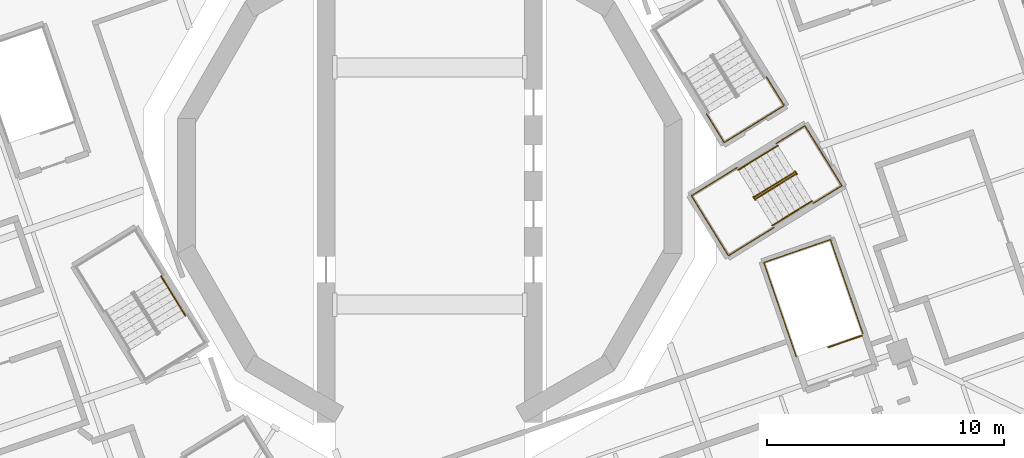
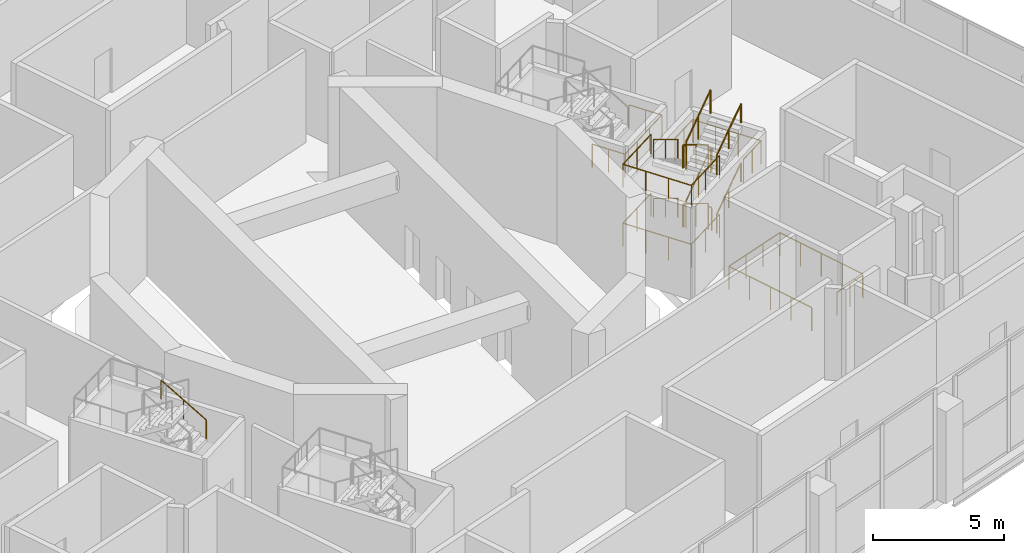
# One storey, part 18 of 20: 16 railings.
"""IFC4 building model written with IfcOpenShell, lengths in metres."""

from ifc_helpers import new_model, si_unit, direction, frame, origin, origin_2d, place, context, subcontext, project, spatial, circle, extrude, material, type_object, element, save


model = new_model("IFC4")

# Units and contexts
model_context = context("Model", 3, precision=1e-05, world=origin(), true_north=direction((0.0, 1.0)))
body_context = subcontext(model_context, "Body", "Model", "MODEL_VIEW")
ifc_project = project(units=[si_unit("LENGTHUNIT", "METRE"), si_unit("AREAUNIT", "SQUARE_METRE"), si_unit("VOLUMEUNIT", "CUBIC_METRE"), si_unit("PLANEANGLEUNIT", "RADIAN"), si_unit("MASSUNIT", "GRAM", prefix="KILO")], contexts=[model_context])

# Site, building, storey
site_placement = place(None, origin())
site = spatial("IfcSite", under=ifc_project, at=site_placement, CompositionType="ELEMENT")
building_placement = place(site_placement, origin())
building = spatial("IfcBuilding", under=site, at=building_placement, Name="Cantera Rosa Tower", CompositionType="ELEMENT")
storey_placement = place(building_placement, frame((0.0, 0.0, 142.10009765625)))
storey = spatial("IfcBuildingStorey", under=building, at=storey_placement, Name="L30", CompositionType="ELEMENT", Elevation=142.10009765625)

# Railings
ifc_material_1 = material(Name="Steel S355J2 (EN 10025-2)", Category="steel")
railing_type_1 = type_object("IfcRailingType", Name="STAIR GUARD 1100", PredefinedType="GUARDRAIL", material=ifc_material_1)
railing_1_placement = place(storey_placement, frame((18.219482421875, -6.30712890625, 0.0)))
element("IfcRailing", 1, at=railing_1_placement, inside=storey, type_object=railing_type_1, Name="L30 ST-23 top well guard 1", PredefinedType="GUARDRAIL", context=body_context, shape_type="SweptSolid", body=[
    extrude(circle(Radius=0.02392578125, at=origin_2d()), frame((0.0, 0.0, 1.076171875), z_axis=(-0.945528551438, -0.325539181077, 0.0), x_axis=(0.325539181077, -0.945528551438, 0.0)), (0.0, 0.0, 1.0), 1.5),
    extrude(circle(Radius=0.02099609375, at=origin_2d()), origin(), (0.0, 0.0, 1.0), 1.052001953125),
    extrude(circle(Radius=0.02099609375, at=origin_2d()), frame((-0.708984375, -0.244140625, 0.0)), (0.0, 0.0, 1.0), 1.052001953125),
    extrude(circle(Radius=0.02099609375, at=origin_2d()), frame((-1.418212890625, -0.48828125, 0.0)), (0.0, 0.0, 1.0), 1.052001953125),
])
railing_2_placement = place(storey_placement, frame((18.256103515625, -6.22900390625, 0.0)))
element("IfcRailing", 2, at=railing_2_placement, inside=storey, type_object=railing_type_1, Name="L30 ST-23 top well guard 2", PredefinedType="GUARDRAIL", context=body_context, shape_type="SweptSolid", body=[
    extrude(circle(Radius=0.02392578125, at=origin_2d()), frame((0.0, 0.0, 1.076171875), z_axis=(-0.3255981694, 0.945508240093, 0.0), x_axis=(-0.945508240093, -0.3255981694, 0.0)), (0.0, 0.0, 1.0), 4.1982421875),
    extrude(circle(Radius=0.02392578125, at=origin_2d()), frame((-1.366943359375, 3.969482421875, 1.076171875), z_axis=(-0.945504814226, -0.325608117645, 0.0), x_axis=(0.325608117645, -0.945504814226, 0.0)), (0.0, 0.0, 1.0), 2.969970703125),
    extrude(circle(Radius=0.02392578125, at=origin_2d()), frame((-4.175048828125, 3.00244140625, 1.076171875), z_axis=(0.325564081496, -0.945519978022, 0.0), x_axis=(0.945519978022, 0.325564081496, 0.0)), (0.0, 0.0, 1.0), 4.197998046875),
    extrude(circle(Radius=0.02099609375, at=origin_2d()), origin(), (0.0, 0.0, 1.0), 1.052001953125),
    extrude(circle(Radius=0.02099609375, at=origin_2d()), frame((-0.341796875, 0.992431640625, 0.0)), (0.0, 0.0, 1.0), 1.052001953125),
    extrude(circle(Radius=0.02099609375, at=origin_2d()), frame((-0.68359375, 1.98486328125, 0.0)), (0.0, 0.0, 1.0), 1.052001953125),
    extrude(circle(Radius=0.02099609375, at=origin_2d()), frame((-1.025146484375, 2.97705078125, 0.0)), (0.0, 0.0, 1.0), 1.052001953125),
    extrude(circle(Radius=0.02099609375, at=origin_2d()), frame((-1.366943359375, 3.969482421875, 0.0)), (0.0, 0.0, 1.0), 1.052001953125),
    extrude(circle(Radius=0.02099609375, at=origin_2d()), frame((-2.302978515625, 3.647216796875, 0.0)), (0.0, 0.0, 1.0), 1.052001953125),
    extrude(circle(Radius=0.02099609375, at=origin_2d()), frame((-3.239013671875, 3.32470703125, 0.0)), (0.0, 0.0, 1.0), 1.052001953125),
    extrude(circle(Radius=0.02099609375, at=origin_2d()), frame((-4.175048828125, 3.00244140625, 0.0)), (0.0, 0.0, 1.0), 1.052001953125),
    extrude(circle(Radius=0.02099609375, at=origin_2d()), frame((-3.83349609375, 2.01025390625, 0.0)), (0.0, 0.0, 1.0), 1.052001953125),
    extrude(circle(Radius=0.02099609375, at=origin_2d()), frame((-3.49169921875, 1.017822265625, 0.0)), (0.0, 0.0, 1.0), 1.052001953125),
    extrude(circle(Radius=0.02099609375, at=origin_2d()), frame((-3.14990234375, 0.025390625, 0.0)), (0.0, 0.0, 1.0), 1.052001953125),
    extrude(circle(Radius=0.02099609375, at=origin_2d()), frame((-2.808349609375, -0.966796875, 0.0)), (0.0, 0.0, 1.0), 1.052001953125),
])
railing_3_placement = place(storey_placement, frame((14.192626953125, 4.59814453125, 2.75)))
element("IfcRailing", 3, at=railing_3_placement, inside=storey, type_object=railing_type_1, Name="L30 ST-31 stair guard 7", PredefinedType="GUARDRAIL", context=body_context, shape_type="SweptSolid", body=[
    extrude(circle(Radius=0.02392578125, at=origin_2d()), frame((0.0, 0.0, 1.076171875), z_axis=(0.525035889828, -0.851080086944, 0.0), x_axis=(0.851080086944, 0.525035889828, 0.0)), (0.0, 0.0, 1.0), 1.421875),
    extrude(circle(Radius=0.02392578125, at=origin_2d()), frame((0.74658203125, -1.210205078125, 1.076171875), z_axis=(-0.851132917336, -0.524950242429, 0.0), x_axis=(0.524950242429, -0.851132917336, 0.0)), (0.0, 0.0, 1.0), 2.969970703125),
    extrude(circle(Radius=0.02392578125, at=origin_2d()), frame((-1.78125, -2.769287109375, 1.076171875), z_axis=(-0.525035889828, 0.851080086944, 0.0), x_axis=(-0.851080086944, -0.525035889828, 0.0)), (0.0, 0.0, 1.0), 1.421875),
    extrude(circle(Radius=0.02099609375, at=origin_2d()), origin(), (0.0, 0.0, 1.0), 1.052001953125),
    extrude(circle(Radius=0.02099609375, at=origin_2d()), frame((0.373291015625, -0.60498046875, 0.0)), (0.0, 0.0, 1.0), 1.052001953125),
    extrude(circle(Radius=0.02099609375, at=origin_2d()), frame((0.74658203125, -1.210205078125, 0.0)), (0.0, 0.0, 1.0), 1.052001953125),
    extrude(circle(Radius=0.02099609375, at=origin_2d()), frame((-0.095947265625, -1.72998046875, 0.0)), (0.0, 0.0, 1.0), 1.052001953125),
    extrude(circle(Radius=0.02099609375, at=origin_2d()), frame((-0.938720703125, -2.24951171875, 0.0)), (0.0, 0.0, 1.0), 1.052001953125),
    extrude(circle(Radius=0.02099609375, at=origin_2d()), frame((-1.78125, -2.769287109375, 0.0)), (0.0, 0.0, 1.0), 1.052001953125),
    extrude(circle(Radius=0.02099609375, at=origin_2d()), frame((-2.154541015625, -2.1640625, 0.0)), (0.0, 0.0, 1.0), 1.052001953125),
    extrude(circle(Radius=0.02099609375, at=origin_2d()), frame((-2.52783203125, -1.55908203125, 0.0)), (0.0, 0.0, 1.0), 1.052001953125),
])
railing_4_placement = place(storey_placement, frame((15.36572265625, 0.57666015625, 0.171875)))
element("IfcRailing", 4, at=railing_4_placement, inside=storey, type_object=railing_type_1, Name="L30 ST-34 stair guard 1", PredefinedType="GUARDRAIL", context=body_context, shape_type="SweptSolid", body=[
    extrude(circle(Radius=0.02392578125, at=origin_2d()), frame((0.0, 0.0, 1.076171875), z_axis=(-0.725301222908, -0.447474334683, 0.523168095212), x_axis=(0.525063175412, -0.851063253716, 0.0)), (0.0, 0.0, 1.0), 2.2998046875),
    extrude(circle(Radius=0.02392578125, at=origin_2d()), frame((-1.66796875, -1.029052734375, 2.279296875), z_axis=(-0.997609841035, -0.069098517128, 0.0), x_axis=(0.069098517128, -0.997609841035, 0.0)), (0.0, 0.0, 1.0), 0.056640625),
    extrude(circle(Radius=0.02392578125, at=origin_2d()), frame((-1.724365234375, -1.032958984375, 2.279296875), z_axis=(0.525458245725, -0.850819388589, 0.0), x_axis=(0.850819388589, 0.525458245725, 0.0)), (0.0, 0.0, 1.0), 0.150146484375),
    extrude(circle(Radius=0.02099609375, at=origin_2d()), origin(), (0.0, 0.0, 1.0), 1.052001953125),
    extrude(circle(Radius=0.02099609375, at=origin_2d()), frame((-0.833984375, -0.5146484375, 0.6015625)), (0.0, 0.0, 1.0), 1.052001953125),
    extrude(circle(Radius=0.02099609375, at=origin_2d()), frame((-1.66796875, -1.029052734375, 1.203125)), (0.0, 0.0, 1.0), 1.052001953125),
    extrude(circle(Radius=0.02099609375, at=origin_2d()), frame((-1.724365234375, -1.032958984375, 1.203125)), (0.0, 0.0, 1.0), 1.052001953125),
    extrude(circle(Radius=0.02099609375, at=origin_2d()), frame((-1.6455078125, -1.16064453125, 1.203125)), (0.0, 0.0, 1.0), 1.052001953125),
])
railing_5_placement = place(storey_placement, frame((13.7490234375, -0.53564453125, 1.546875)))
element("IfcRailing", 5, at=railing_5_placement, inside=storey, type_object=railing_type_1, Name="L30 ST-34 stair guard 2", PredefinedType="GUARDRAIL", context=body_context, shape_type="SweptSolid", body=[
    extrude(circle(Radius=0.02392578125, at=origin_2d()), frame((0.0, 0.0, 1.076171875), z_axis=(0.725385982322, 0.447354972853, 0.523152659283), x_axis=(-0.524917280724, 0.85115324613, 0.0)), (0.0, 0.0, 1.0), 2.2998046875),
    extrude(circle(Radius=0.02392578125, at=origin_2d()), frame((1.668212890625, 1.02880859375, 2.279296875), z_axis=(0.997279572494, 0.073711968402, 0.0), x_axis=(-0.073711968402, 0.997279572494, 0.0)), (0.0, 0.0, 1.0), 0.056396484375),
    extrude(circle(Radius=0.02392578125, at=origin_2d()), frame((1.724365234375, 1.032958984375, 2.279296875), z_axis=(-0.524279100842, 0.851546489876, 0.0), x_axis=(-0.851546489876, -0.524279100842, 0.0)), (0.0, 0.0, 1.0), 0.14990234375),
    extrude(circle(Radius=0.02099609375, at=origin_2d()), origin(), (0.0, 0.0, 1.0), 1.052001953125),
    extrude(circle(Radius=0.02099609375, at=origin_2d()), frame((0.833984375, 0.514404296875, 0.6015625)), (0.0, 0.0, 1.0), 1.052001953125),
    extrude(circle(Radius=0.02099609375, at=origin_2d()), frame((1.668212890625, 1.02880859375, 1.203125)), (0.0, 0.0, 1.0), 1.052001953125),
    extrude(circle(Radius=0.02099609375, at=origin_2d()), frame((1.724365234375, 1.032958984375, 1.203125)), (0.0, 0.0, 1.0), 1.052001953125),
    extrude(circle(Radius=0.02099609375, at=origin_2d()), frame((1.645751953125, 1.16064453125, 1.203125)), (0.0, 0.0, 1.0), 1.052001953125),
])
railing_6_placement = place(storey_placement, frame((15.36572265625, 0.57666015625, 2.921875)))
element("IfcRailing", 6, at=railing_6_placement, inside=storey, type_object=railing_type_1, Name="L30 ST-34 stair guard 3", PredefinedType="GUARDRAIL", context=body_context, shape_type="SweptSolid", body=[
    extrude(circle(Radius=0.02392578125, at=origin_2d()), frame((0.0, 0.0, 1.076171875), z_axis=(-0.725301222908, -0.447474334683, 0.523168095212), x_axis=(0.525063175412, -0.851063253716, 0.0)), (0.0, 0.0, 1.0), 2.2998046875),
    extrude(circle(Radius=0.02392578125, at=origin_2d()), frame((-1.66796875, -1.029052734375, 2.279296875), z_axis=(-0.997609841035, -0.069098517128, 0.0), x_axis=(0.069098517128, -0.997609841035, 0.0)), (0.0, 0.0, 1.0), 0.056640625),
    extrude(circle(Radius=0.02392578125, at=origin_2d()), frame((-1.724365234375, -1.032958984375, 2.279296875), z_axis=(0.525458245725, -0.850819388589, 0.0), x_axis=(0.850819388589, 0.525458245725, 0.0)), (0.0, 0.0, 1.0), 0.150146484375),
    extrude(circle(Radius=0.02099609375, at=origin_2d()), origin(), (0.0, 0.0, 1.0), 1.052001953125),
    extrude(circle(Radius=0.02099609375, at=origin_2d()), frame((-0.833984375, -0.5146484375, 0.6015625)), (0.0, 0.0, 1.0), 1.052001953125),
    extrude(circle(Radius=0.02099609375, at=origin_2d()), frame((-1.66796875, -1.029052734375, 1.203125)), (0.0, 0.0, 1.0), 1.052001953125),
    extrude(circle(Radius=0.02099609375, at=origin_2d()), frame((-1.724365234375, -1.032958984375, 1.203125)), (0.0, 0.0, 1.0), 1.052001953125),
    extrude(circle(Radius=0.02099609375, at=origin_2d()), frame((-1.6455078125, -1.16064453125, 1.203125)), (0.0, 0.0, 1.0), 1.052001953125),
])
railing_7_placement = place(storey_placement, frame((13.7490234375, -0.53564453125, 4.296875)))
element("IfcRailing", 7, at=railing_7_placement, inside=storey, type_object=railing_type_1, Name="L30 ST-34 stair guard 4", PredefinedType="GUARDRAIL", context=body_context, shape_type="SweptSolid", body=[
    extrude(circle(Radius=0.02392578125, at=origin_2d()), frame((0.0, 0.0, 1.076171875), z_axis=(0.725385982322, 0.447354972853, 0.523152659283), x_axis=(-0.524917280724, 0.85115324613, 0.0)), (0.0, 0.0, 1.0), 2.2998046875),
    extrude(circle(Radius=0.02099609375, at=origin_2d()), origin(), (0.0, 0.0, 1.0), 1.052001953125),
    extrude(circle(Radius=0.02099609375, at=origin_2d()), frame((0.833984375, 0.514404296875, 0.6015625)), (0.0, 0.0, 1.0), 1.052001953125),
    extrude(circle(Radius=0.02099609375, at=origin_2d()), frame((1.668212890625, 1.02880859375, 1.203125)), (0.0, 0.0, 1.0), 1.052001953125),
])
railing_8_placement = place(storey_placement, frame((15.394775390625, 0.625, 0.0)))
element("IfcRailing", 8, at=railing_8_placement, inside=storey, type_object=railing_type_1, Name="L30 ST-34 stair guard 5", PredefinedType="GUARDRAIL", context=body_context, shape_type="SweptSolid", body=[
    extrude(circle(Radius=0.02392578125, at=origin_2d()), frame((0.0, 0.0, 1.076171875), z_axis=(0.524279100842, -0.851546489876, 0.0), x_axis=(0.851546489876, 0.524279100842, 0.0)), (0.0, 0.0, 1.0), 0.14990234375),
    extrude(circle(Radius=0.02099609375, at=origin_2d()), origin(), (0.0, 0.0, 1.0), 1.052001953125),
    extrude(circle(Radius=0.02099609375, at=origin_2d()), frame((0.07861328125, -0.127685546875, 0.0)), (0.0, 0.0, 1.0), 1.052001953125),
])
railing_9_placement = place(storey_placement, frame((12.9541015625, 0.776123046875, 1.375)))
element("IfcRailing", 9, at=railing_9_placement, inside=storey, type_object=railing_type_1, Name="L30 ST-34 stair guard 6", PredefinedType="GUARDRAIL", context=body_context, shape_type="SweptSolid", body=[
    extrude(circle(Radius=0.02392578125, at=origin_2d()), frame((0.0, 0.0, 1.076171875), z_axis=(-0.851124254456, -0.524964287811, 0.0), x_axis=(0.524964287811, -0.851124254456, 0.0)), (0.0, 0.0, 1.0), 2.261962890625),
    extrude(circle(Radius=0.02392578125, at=origin_2d()), frame((-1.92529296875, -1.1875, 1.076171875), z_axis=(0.524950242429, -0.851132917336, 0.0), x_axis=(0.851132917336, 0.524950242429, 0.0)), (0.0, 0.0, 1.0), 2.969970703125),
    extrude(circle(Radius=0.02392578125, at=origin_2d()), frame((-0.3662109375, -3.71533203125, 1.076171875), z_axis=(0.851124254456, 0.524964287811, 0.0), x_axis=(-0.524964287811, 0.851124254456, 0.0)), (0.0, 0.0, 1.0), 2.261962890625),
    extrude(circle(Radius=0.02099609375, at=origin_2d()), origin(), (0.0, 0.0, 1.0), 1.052001953125),
    extrude(circle(Radius=0.02099609375, at=origin_2d()), frame((-0.962646484375, -0.59375, 0.0)), (0.0, 0.0, 1.0), 1.052001953125),
    extrude(circle(Radius=0.02099609375, at=origin_2d()), frame((-1.92529296875, -1.1875, 0.0)), (0.0, 0.0, 1.0), 1.052001953125),
    extrude(circle(Radius=0.02099609375, at=origin_2d()), frame((-1.405517578125, -2.030029296875, 0.0)), (0.0, 0.0, 1.0), 1.052001953125),
    extrude(circle(Radius=0.02099609375, at=origin_2d()), frame((-0.885986328125, -2.872802734375, 0.0)), (0.0, 0.0, 1.0), 1.052001953125),
    extrude(circle(Radius=0.02099609375, at=origin_2d()), frame((-0.3662109375, -3.71533203125, 0.0)), (0.0, 0.0, 1.0), 1.052001953125),
    extrude(circle(Radius=0.02099609375, at=origin_2d()), frame((0.596435546875, -3.12158203125, 0.0)), (0.0, 0.0, 1.0), 1.052001953125),
    extrude(circle(Radius=0.02099609375, at=origin_2d()), frame((1.55908203125, -2.52783203125, 0.0)), (0.0, 0.0, 1.0), 1.052001953125),
])
railing_10_placement = place(storey_placement, frame((14.601806640625, 1.79248046875, 2.75)))
element("IfcRailing", 10, at=railing_10_placement, inside=storey, type_object=railing_type_1, Name="L30 ST-34 stair guard 7", PredefinedType="GUARDRAIL", context=body_context, shape_type="SweptSolid", body=[
    extrude(circle(Radius=0.02392578125, at=origin_2d()), frame((0.0, 0.0, 1.076171875), z_axis=(0.851080086944, 0.525035889828, 0.0), x_axis=(-0.525035889828, 0.851080086944, 0.0)), (0.0, 0.0, 1.0), 1.421875),
    extrude(circle(Radius=0.02392578125, at=origin_2d()), frame((1.210205078125, 0.74658203125, 1.076171875), z_axis=(0.525009788881, -0.851096188206, 0.0), x_axis=(0.851096188206, 0.525009788881, 0.0)), (0.0, 0.0, 1.0), 2.969970703125),
    extrude(circle(Radius=0.02392578125, at=origin_2d()), frame((2.76953125, -1.78125, 1.076171875), z_axis=(-0.851127405808, -0.524959178492, 0.0), x_axis=(0.524959178492, -0.851127405808, 0.0)), (0.0, 0.0, 1.0), 1.422119140625),
    extrude(circle(Radius=0.02099609375, at=origin_2d()), origin(), (0.0, 0.0, 1.0), 1.052001953125),
    extrude(circle(Radius=0.02099609375, at=origin_2d()), frame((0.60498046875, 0.373291015625, 0.0)), (0.0, 0.0, 1.0), 1.052001953125),
    extrude(circle(Radius=0.02099609375, at=origin_2d()), frame((1.210205078125, 0.74658203125, 0.0)), (0.0, 0.0, 1.0), 1.052001953125),
    extrude(circle(Radius=0.02099609375, at=origin_2d()), frame((1.72998046875, -0.095947265625, 0.0)), (0.0, 0.0, 1.0), 1.052001953125),
    extrude(circle(Radius=0.02099609375, at=origin_2d()), frame((2.249755859375, -0.938720703125, 0.0)), (0.0, 0.0, 1.0), 1.052001953125),
    extrude(circle(Radius=0.02099609375, at=origin_2d()), frame((2.76953125, -1.78125, 0.0)), (0.0, 0.0, 1.0), 1.052001953125),
    extrude(circle(Radius=0.02099609375, at=origin_2d()), frame((2.164306640625, -2.154541015625, 0.0)), (0.0, 0.0, 1.0), 1.052001953125),
    extrude(circle(Radius=0.02099609375, at=origin_2d()), frame((1.55908203125, -2.52783203125, 0.0)), (0.0, 0.0, 1.0), 1.052001953125),
])
railing_11_placement = place(storey_placement, frame((12.9541015625, 0.776123046875, 4.125)))
element("IfcRailing", 11, at=railing_11_placement, inside=storey, type_object=railing_type_1, Name="L30 ST-34 stair guard 8", PredefinedType="GUARDRAIL", context=body_context, shape_type="SweptSolid", body=[
    extrude(circle(Radius=0.02392578125, at=origin_2d()), frame((0.0, 0.0, 1.076171875), z_axis=(-0.851124254456, -0.524964287811, 0.0), x_axis=(0.524964287811, -0.851124254456, 0.0)), (0.0, 0.0, 1.0), 2.261962890625),
    extrude(circle(Radius=0.02392578125, at=origin_2d()), frame((-1.92529296875, -1.1875, 1.076171875), z_axis=(0.524950242429, -0.851132917336, 0.0), x_axis=(0.851132917336, 0.524950242429, 0.0)), (0.0, 0.0, 1.0), 2.969970703125),
    extrude(circle(Radius=0.02392578125, at=origin_2d()), frame((-0.3662109375, -3.71533203125, 1.076171875), z_axis=(0.851124254456, 0.524964287811, 0.0), x_axis=(-0.524964287811, 0.851124254456, 0.0)), (0.0, 0.0, 1.0), 2.261962890625),
    extrude(circle(Radius=0.02099609375, at=origin_2d()), origin(), (0.0, 0.0, 1.0), 1.052001953125),
    extrude(circle(Radius=0.02099609375, at=origin_2d()), frame((-0.962646484375, -0.59375, 0.0)), (0.0, 0.0, 1.0), 1.052001953125),
    extrude(circle(Radius=0.02099609375, at=origin_2d()), frame((-1.92529296875, -1.1875, 0.0)), (0.0, 0.0, 1.0), 1.052001953125),
    extrude(circle(Radius=0.02099609375, at=origin_2d()), frame((-1.405517578125, -2.030029296875, 0.0)), (0.0, 0.0, 1.0), 1.052001953125),
    extrude(circle(Radius=0.02099609375, at=origin_2d()), frame((-0.885986328125, -2.872802734375, 0.0)), (0.0, 0.0, 1.0), 1.052001953125),
    extrude(circle(Radius=0.02099609375, at=origin_2d()), frame((-0.3662109375, -3.71533203125, 0.0)), (0.0, 0.0, 1.0), 1.052001953125),
    extrude(circle(Radius=0.02099609375, at=origin_2d()), frame((0.596435546875, -3.12158203125, 0.0)), (0.0, 0.0, 1.0), 1.052001953125),
    extrude(circle(Radius=0.02099609375, at=origin_2d()), frame((1.55908203125, -2.52783203125, 0.0)), (0.0, 0.0, 1.0), 1.052001953125),
])
ifc_material_2 = material(Name="Steel S355J2 (EN 10025-2)", Category="steel")
railing_type_2 = type_object("IfcRailingType", Name="STAIR HANDRAIL 900", PredefinedType="HANDRAIL", material=ifc_material_2)
railing_12_placement = place(storey_placement, frame((-10.294677734375, -5.4697265625, 2.921875)))
element("IfcRailing", 12, at=railing_12_placement, inside=storey, type_object=railing_type_2, Name="L30 ST-32 stair handrail 3", PredefinedType="HANDRAIL", context=body_context, shape_type="SweptSolid", body=[
    extrude(circle(Radius=0.02392578125, at=origin_2d()), frame((0.0, 0.0, 0.8759765625), z_axis=(-0.447439880758, 0.725351531487, 0.523127813137), x_axis=(-0.851097591167, -0.525007514528, 0.0)), (0.0, 0.0, 1.0), 2.2998046875),
    extrude(circle(Radius=0.02099609375, at=origin_2d()), origin(), (0.0, 0.0, 1.0), 0.851806640625),
    extrude(circle(Radius=0.02099609375, at=origin_2d()), frame((-0.5146484375, 0.833984375, 0.6015625)), (0.0, 0.0, 1.0), 0.851806640625),
    extrude(circle(Radius=0.02099609375, at=origin_2d()), frame((-1.029052734375, 1.668212890625, 1.203125)), (0.0, 0.0, 1.0), 0.851806640625),
])
railing_13_placement = place(storey_placement, frame((14.669677734375, 1.705322265625, 0.171875)))
element("IfcRailing", 13, at=railing_13_placement, inside=storey, type_object=railing_type_2, Name="L30 ST-34 stair handrail 1", PredefinedType="HANDRAIL", context=body_context, shape_type="SweptSolid", body=[
    extrude(circle(Radius=0.02392578125, at=origin_2d()), frame((0.0, 0.0, 0.8759765625), z_axis=(-0.725351531487, -0.447439880758, 0.523127813137), x_axis=(0.525007514528, -0.851097591167, 0.0)), (0.0, 0.0, 1.0), 2.2998046875),
    extrude(circle(Radius=0.02099609375, at=origin_2d()), origin(), (0.0, 0.0, 1.0), 0.851806640625),
    extrude(circle(Radius=0.02099609375, at=origin_2d()), frame((-0.833984375, -0.5146484375, 0.6015625)), (0.0, 0.0, 1.0), 0.851806640625),
    extrude(circle(Radius=0.02099609375, at=origin_2d()), frame((-1.668212890625, -1.029052734375, 1.203125)), (0.0, 0.0, 1.0), 0.851806640625),
])
railing_14_placement = place(storey_placement, frame((14.4453125, -1.664306640625, 1.546875)))
element("IfcRailing", 14, at=railing_14_placement, inside=storey, type_object=railing_type_2, Name="L30 ST-34 stair handrail 2", PredefinedType="HANDRAIL", context=body_context, shape_type="SweptSolid", body=[
    extrude(circle(Radius=0.02392578125, at=origin_2d()), frame((0.0, 0.0, 0.8759765625), z_axis=(0.725351531487, 0.447439880758, 0.523127813137), x_axis=(-0.525007514528, 0.851097591167, 0.0)), (0.0, 0.0, 1.0), 2.2998046875),
    extrude(circle(Radius=0.02099609375, at=origin_2d()), origin(), (0.0, 0.0, 1.0), 0.851806640625),
    extrude(circle(Radius=0.02099609375, at=origin_2d()), frame((0.833984375, 0.5146484375, 0.6015625)), (0.0, 0.0, 1.0), 0.851806640625),
    extrude(circle(Radius=0.02099609375, at=origin_2d()), frame((1.668212890625, 1.029052734375, 1.203125)), (0.0, 0.0, 1.0), 0.851806640625),
])
railing_15_placement = place(storey_placement, frame((14.669677734375, 1.705322265625, 2.921875)))
element("IfcRailing", 15, at=railing_15_placement, inside=storey, type_object=railing_type_2, Name="L30 ST-34 stair handrail 3", PredefinedType="HANDRAIL", context=body_context, shape_type="SweptSolid", body=[
    extrude(circle(Radius=0.02392578125, at=origin_2d()), frame((0.0, 0.0, 0.8759765625), z_axis=(-0.725351531487, -0.447439880758, 0.523127813137), x_axis=(0.525007514528, -0.851097591167, 0.0)), (0.0, 0.0, 1.0), 2.2998046875),
    extrude(circle(Radius=0.02099609375, at=origin_2d()), origin(), (0.0, 0.0, 1.0), 0.851806640625),
    extrude(circle(Radius=0.02099609375, at=origin_2d()), frame((-0.833984375, -0.5146484375, 0.6015625)), (0.0, 0.0, 1.0), 0.851806640625),
    extrude(circle(Radius=0.02099609375, at=origin_2d()), frame((-1.668212890625, -1.029052734375, 1.203125)), (0.0, 0.0, 1.0), 0.851806640625),
])
railing_16_placement = place(storey_placement, frame((14.4453125, -1.664306640625, 4.296875)))
element("IfcRailing", 16, at=railing_16_placement, inside=storey, type_object=railing_type_2, Name="L30 ST-34 stair handrail 4", PredefinedType="HANDRAIL", context=body_context, shape_type="SweptSolid", body=[
    extrude(circle(Radius=0.02392578125, at=origin_2d()), frame((0.0, 0.0, 0.8759765625), z_axis=(0.725351531487, 0.447439880758, 0.523127813137), x_axis=(-0.525007514528, 0.851097591167, 0.0)), (0.0, 0.0, 1.0), 2.2998046875),
    extrude(circle(Radius=0.02099609375, at=origin_2d()), origin(), (0.0, 0.0, 1.0), 0.851806640625),
    extrude(circle(Radius=0.02099609375, at=origin_2d()), frame((0.833984375, 0.5146484375, 0.6015625)), (0.0, 0.0, 1.0), 0.851806640625),
    extrude(circle(Radius=0.02099609375, at=origin_2d()), frame((1.668212890625, 1.029052734375, 1.203125)), (0.0, 0.0, 1.0), 0.851806640625),
])

save(model, "model.ifc")
